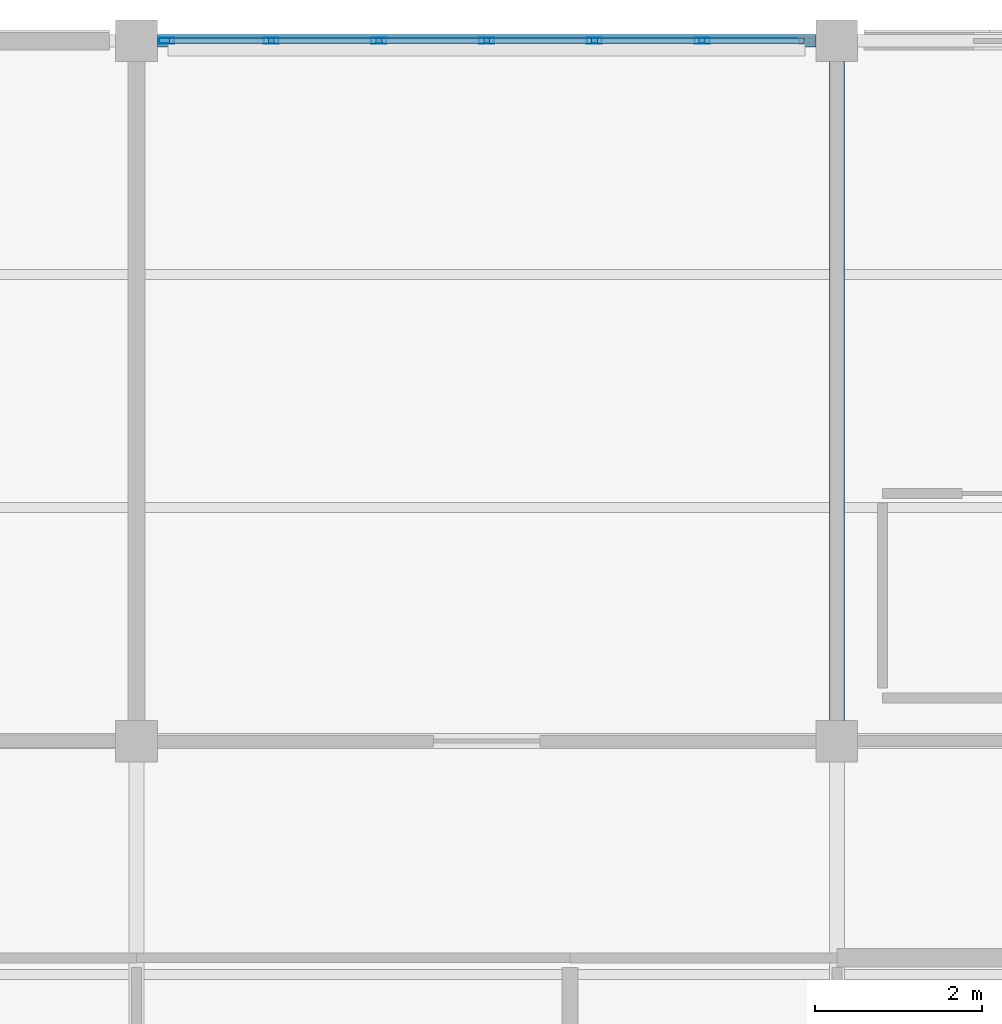
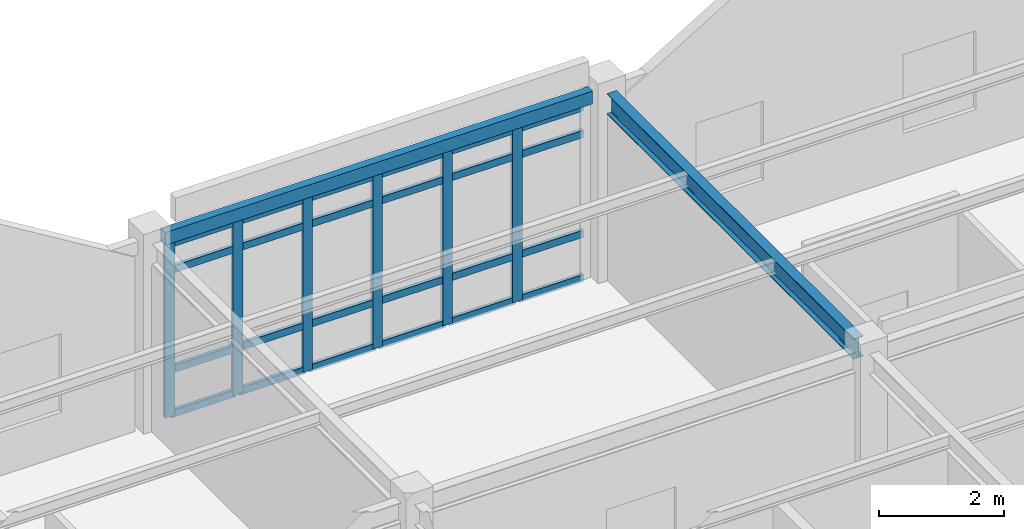
# One storey, part 20 of 45: 30 members, 2 beams, 1 element without a shape of its own.
"""IFC4 building model written with IfcOpenShell, lengths in metres."""

from ifc_helpers import new_model, si_unit, direction, frame, origin, origin_2d, place, context, subcontext, project, spatial, hollow_rectangle, i_section, extrude, material, layer, layer_set, material_profile, profile_set, type_object, element, aggregate, save


model = new_model("IFC4")

# Units and contexts
model_context = context("Model", 3, precision=1e-05, world=origin(), true_north=direction((0.0, 1.0)))
body_context = subcontext(model_context, "Body", "Model", "MODEL_VIEW")
ifc_project = project(units=[si_unit("LENGTHUNIT", "METRE"), si_unit("AREAUNIT", "SQUARE_METRE"), si_unit("VOLUMEUNIT", "CUBIC_METRE"), si_unit("PLANEANGLEUNIT", "RADIAN"), si_unit("MASSUNIT", "GRAM", prefix="KILO")], contexts=[model_context])

# Site, building, storey
site_placement = place(None, origin())
site = spatial("IfcSite", under=ifc_project, at=site_placement, CompositionType="ELEMENT")
building_placement = place(site_placement, origin())
building = spatial("IfcBuilding", under=site, at=building_placement, Name="Bramfleet General Hospital", CompositionType="ELEMENT")
storey_placement = place(building_placement, frame((0.0, 0.0, 30.300048828125)))
storey = spatial("IfcBuildingStorey", under=building, at=storey_placement, Name="L07", CompositionType="ELEMENT", Elevation=30.300048828125)

# Beams
ifc_material_1 = material(Name="Steel S355", Category="steel")
ifc_material_profile_1 = material_profile(ifc_material_1, i_section(OverallWidth=0.179931640625, OverallDepth=0.39990234375, WebThickness=0.008544921875, FlangeThickness=0.013427734375, FilletRadius=0.02099609375, at=origin_2d()), Name="IPE 400")
ifc_profile_set_1 = profile_set([ifc_material_profile_1], Name="Steel S355")
beam_type_1 = type_object("IfcBeamType", Name="BM-IPE400", PredefinedType="BEAM", material=ifc_profile_set_1)
beam_1_placement = place(storey_placement, frame((84.0, 109.449951171875, 3.4599609375), z_axis=(0.0, 1.0, 0.0), x_axis=(-1.0, 0.0, 0.0)))
element("IfcBeam", 1, at=beam_1_placement, inside=storey, type_object=beam_type_1, Name="L07 Grid Beam Y 10-13", PredefinedType="BEAM", context=body_context, shape_type="SweptSolid", body=[
    extrude(i_section(OverallWidth=0.179931640625, OverallDepth=0.39990234375, WebThickness=0.008544921875, FlangeThickness=0.013427734375, FilletRadius=0.02099609375, at=origin_2d()), origin(), (0.0, 0.0, 1.0), 7.900146484375),
])
ifc_material_profile_2 = material_profile(ifc_material_1, hollow_rectangle(XDim=0.14990234375, YDim=0.25, WallThickness=0.010009765625, at=origin_2d()), Name="RHS 250x150x10.0")
ifc_profile_set_2 = profile_set([ifc_material_profile_2], Name="Steel S355")
beam_type_2 = type_object("IfcBeamType", Name="BM-RHS250", PredefinedType="SPANDREL", material=ifc_profile_set_2)
beam_2_placement = place(storey_placement, frame((75.85009765625, 117.60009765625, 3.534912109375), z_axis=(1.0, 0.0, 0.0), x_axis=(0.0, 1.0, 0.0)))
element("IfcBeam", 2, at=beam_2_placement, inside=storey, type_object=beam_type_2, Name="L07 Grid Beam X 09-14", PredefinedType="SPANDREL", context=body_context, shape_type="SweptSolid", body=[
    extrude(hollow_rectangle(XDim=0.14990234375, YDim=0.25, WallThickness=0.010009765625, at=origin_2d()), origin(), (0.0, 0.0, 1.0), 7.89990234375),
])

# Curtain wall, members
ifc_material_2 = material(Name="Anodised aluminium and low-E triple glazing", Category="aluminium")
ifc_layer = layer(ifc_material_2, 0.179931640625, Name="CWT-CW-08")
ifc_layer_set = layer_set([ifc_layer], Name="Anodised aluminium and low-E triple glazing")
curtain_wall_type = type_object("IfcCurtainWallType", Name="CWT-CW-08", PredefinedType="USERDEFINED", material=ifc_layer_set)
curtain_wall_placement = place(storey_placement, origin())
curtain_wall = element("IfcCurtainWall", 3, at=curtain_wall_placement, inside=storey, type_object=curtain_wall_type, Name="L07 Curtain Wall 224", ObjectType="Unitised curtain wall", PredefinedType="USERDEFINED")
ifc_material_3 = material(Name="Anodised aluminium EN AW-6060", Category="aluminium")
ifc_material_profile_3 = material_profile(ifc_material_3, hollow_rectangle(XDim=0.070068359375, YDim=0.179931640625, WallThickness=0.00390625, at=origin_2d()), Name="ALU 180x70x4.0")
ifc_profile_set_3 = profile_set([ifc_material_profile_3], Name="Anodised aluminium EN AW-6060")
member_type_1 = type_object("IfcMemberType", Name="CWM-ALU180", PredefinedType="MULLION", material=ifc_profile_set_3)
member_1_placement = place(storey_placement, frame((75.9599609375, 117.60009765625, 0.0), z_axis=(0.0, 0.0, 1.0), x_axis=(0.0, 1.0, 0.0)))
member_1 = element("IfcMember", 4, at=member_1_placement, type_object=member_type_1, Name="CW-08 mullion 1", PredefinedType="MULLION", context=body_context, shape_type="SweptSolid", body=[
    extrude(hollow_rectangle(XDim=0.070068359375, YDim=0.179931640625, WallThickness=0.00390625, at=origin_2d()), origin(), (0.0, 0.0, 1.0), 3.39990234375),
])
member_2_placement = place(storey_placement, frame((77.216552734375, 117.60009765625, 0.0), z_axis=(0.0, 0.0, 1.0), x_axis=(0.0, 1.0, 0.0)))
member_2 = element("IfcMember", 5, at=member_2_placement, type_object=member_type_1, Name="CW-08 mullion 2", PredefinedType="MULLION", context=body_context, shape_type="SweptSolid", body=[
    extrude(hollow_rectangle(XDim=0.070068359375, YDim=0.179931640625, WallThickness=0.00390625, at=origin_2d()), origin(), (0.0, 0.0, 1.0), 3.39990234375),
])
member_3_placement = place(storey_placement, frame((78.50830078125, 117.60009765625, 0.0), z_axis=(0.0, 0.0, 1.0), x_axis=(0.0, 1.0, 0.0)))
member_3 = element("IfcMember", 6, at=member_3_placement, type_object=member_type_1, Name="CW-08 mullion 3", PredefinedType="MULLION", context=body_context, shape_type="SweptSolid", body=[
    extrude(hollow_rectangle(XDim=0.070068359375, YDim=0.179931640625, WallThickness=0.00390625, at=origin_2d()), origin(), (0.0, 0.0, 1.0), 3.39990234375),
])
member_4_placement = place(storey_placement, frame((79.800048828125, 117.60009765625, 0.0), z_axis=(0.0, 0.0, 1.0), x_axis=(0.0, 1.0, 0.0)))
member_4 = element("IfcMember", 7, at=member_4_placement, type_object=member_type_1, Name="CW-08 mullion 4", PredefinedType="MULLION", context=body_context, shape_type="SweptSolid", body=[
    extrude(hollow_rectangle(XDim=0.070068359375, YDim=0.179931640625, WallThickness=0.00390625, at=origin_2d()), origin(), (0.0, 0.0, 1.0), 3.39990234375),
])
member_5_placement = place(storey_placement, frame((81.091552734375, 117.60009765625, 0.0), z_axis=(0.0, 0.0, 1.0), x_axis=(0.0, 1.0, 0.0)))
member_5 = element("IfcMember", 8, at=member_5_placement, type_object=member_type_1, Name="CW-08 mullion 5", PredefinedType="MULLION", context=body_context, shape_type="SweptSolid", body=[
    extrude(hollow_rectangle(XDim=0.070068359375, YDim=0.179931640625, WallThickness=0.00390625, at=origin_2d()), origin(), (0.0, 0.0, 1.0), 3.39990234375),
])
member_6_placement = place(storey_placement, frame((82.38330078125, 117.60009765625, 0.0), z_axis=(0.0, 0.0, 1.0), x_axis=(0.0, 1.0, 0.0)))
member_6 = element("IfcMember", 9, at=member_6_placement, type_object=member_type_1, Name="CW-08 mullion 6", PredefinedType="MULLION", context=body_context, shape_type="SweptSolid", body=[
    extrude(hollow_rectangle(XDim=0.070068359375, YDim=0.179931640625, WallThickness=0.00390625, at=origin_2d()), origin(), (0.0, 0.0, 1.0), 3.39990234375),
])
ifc_material_profile_4 = material_profile(ifc_material_3, hollow_rectangle(XDim=0.06494140625, YDim=0.139892578125, WallThickness=0.00390625, at=origin_2d()), Name="ALU 140x65x4.0")
ifc_profile_set_4 = profile_set([ifc_material_profile_4], Name="Anodised aluminium EN AW-6060")
member_type_2 = type_object("IfcMemberType", Name="CWT-ALU140", PredefinedType="USERDEFINED", material=ifc_profile_set_4)
member_7_placement = place(storey_placement, frame((75.9951171875, 117.60009765625, 0.032470703125), z_axis=(1.0, 0.0, 0.0), x_axis=(0.0, 1.0, 0.0)))
member_7 = element("IfcMember", 10, at=member_7_placement, type_object=member_type_2, Name="CW-08 transom 1.1", ObjectType="TRANSOM", PredefinedType="USERDEFINED", context=body_context, shape_type="SweptSolid", body=[
    extrude(hollow_rectangle(XDim=0.06494140625, YDim=0.139892578125, WallThickness=0.00390625, at=origin_2d()), origin(), (0.0, 0.0, 1.0), 1.1865234375),
])
member_8_placement = place(storey_placement, frame((75.9951171875, 117.60009765625, 0.89990234375), z_axis=(1.0, 0.0, 0.0), x_axis=(0.0, 1.0, 0.0)))
member_8 = element("IfcMember", 11, at=member_8_placement, type_object=member_type_2, Name="CW-08 transom 1.2", ObjectType="TRANSOM", PredefinedType="USERDEFINED", context=body_context, shape_type="SweptSolid", body=[
    extrude(hollow_rectangle(XDim=0.06494140625, YDim=0.139892578125, WallThickness=0.00390625, at=origin_2d()), origin(), (0.0, 0.0, 1.0), 1.1865234375),
])
member_9_placement = place(storey_placement, frame((75.9951171875, 117.60009765625, 2.849853515625), z_axis=(1.0, 0.0, 0.0), x_axis=(0.0, 1.0, 0.0)))
member_9 = element("IfcMember", 12, at=member_9_placement, type_object=member_type_2, Name="CW-08 transom 1.3", ObjectType="TRANSOM", PredefinedType="USERDEFINED", context=body_context, shape_type="SweptSolid", body=[
    extrude(hollow_rectangle(XDim=0.06494140625, YDim=0.139892578125, WallThickness=0.00390625, at=origin_2d()), origin(), (0.0, 0.0, 1.0), 1.1865234375),
])
member_10_placement = place(storey_placement, frame((75.9951171875, 117.60009765625, 3.367431640625), z_axis=(1.0, 0.0, 0.0), x_axis=(0.0, 1.0, 0.0)))
member_10 = element("IfcMember", 13, at=member_10_placement, type_object=member_type_2, Name="CW-08 transom 1.4", ObjectType="TRANSOM", PredefinedType="USERDEFINED", context=body_context, shape_type="SweptSolid", body=[
    extrude(hollow_rectangle(XDim=0.06494140625, YDim=0.139892578125, WallThickness=0.00390625, at=origin_2d()), origin(), (0.0, 0.0, 1.0), 1.1865234375),
])
member_11_placement = place(storey_placement, frame((77.251708984375, 117.60009765625, 0.032470703125), z_axis=(1.0, 0.0, 0.0), x_axis=(0.0, 1.0, 0.0)))
member_11 = element("IfcMember", 14, at=member_11_placement, type_object=member_type_2, Name="CW-08 transom 2.1", ObjectType="TRANSOM", PredefinedType="USERDEFINED", context=body_context, shape_type="SweptSolid", body=[
    extrude(hollow_rectangle(XDim=0.06494140625, YDim=0.139892578125, WallThickness=0.00390625, at=origin_2d()), origin(), (0.0, 0.0, 1.0), 1.2216796875),
])
member_12_placement = place(storey_placement, frame((77.251708984375, 117.60009765625, 0.89990234375), z_axis=(1.0, 0.0, 0.0), x_axis=(0.0, 1.0, 0.0)))
member_12 = element("IfcMember", 15, at=member_12_placement, type_object=member_type_2, Name="CW-08 transom 2.2", ObjectType="TRANSOM", PredefinedType="USERDEFINED", context=body_context, shape_type="SweptSolid", body=[
    extrude(hollow_rectangle(XDim=0.06494140625, YDim=0.139892578125, WallThickness=0.00390625, at=origin_2d()), origin(), (0.0, 0.0, 1.0), 1.2216796875),
])
member_13_placement = place(storey_placement, frame((77.251708984375, 117.60009765625, 2.849853515625), z_axis=(1.0, 0.0, 0.0), x_axis=(0.0, 1.0, 0.0)))
member_13 = element("IfcMember", 16, at=member_13_placement, type_object=member_type_2, Name="CW-08 transom 2.3", ObjectType="TRANSOM", PredefinedType="USERDEFINED", context=body_context, shape_type="SweptSolid", body=[
    extrude(hollow_rectangle(XDim=0.06494140625, YDim=0.139892578125, WallThickness=0.00390625, at=origin_2d()), origin(), (0.0, 0.0, 1.0), 1.2216796875),
])
member_14_placement = place(storey_placement, frame((77.251708984375, 117.60009765625, 3.367431640625), z_axis=(1.0, 0.0, 0.0), x_axis=(0.0, 1.0, 0.0)))
member_14 = element("IfcMember", 17, at=member_14_placement, type_object=member_type_2, Name="CW-08 transom 2.4", ObjectType="TRANSOM", PredefinedType="USERDEFINED", context=body_context, shape_type="SweptSolid", body=[
    extrude(hollow_rectangle(XDim=0.06494140625, YDim=0.139892578125, WallThickness=0.00390625, at=origin_2d()), origin(), (0.0, 0.0, 1.0), 1.2216796875),
])
member_15_placement = place(storey_placement, frame((78.543212890625, 117.60009765625, 0.032470703125), z_axis=(1.0, 0.0, 0.0), x_axis=(0.0, 1.0, 0.0)))
member_15 = element("IfcMember", 18, at=member_15_placement, type_object=member_type_2, Name="CW-08 transom 3.1", ObjectType="TRANSOM", PredefinedType="USERDEFINED", context=body_context, shape_type="SweptSolid", body=[
    extrude(hollow_rectangle(XDim=0.06494140625, YDim=0.139892578125, WallThickness=0.00390625, at=origin_2d()), origin(), (0.0, 0.0, 1.0), 1.2216796875),
])
member_16_placement = place(storey_placement, frame((78.543212890625, 117.60009765625, 0.89990234375), z_axis=(1.0, 0.0, 0.0), x_axis=(0.0, 1.0, 0.0)))
member_16 = element("IfcMember", 19, at=member_16_placement, type_object=member_type_2, Name="CW-08 transom 3.2", ObjectType="TRANSOM", PredefinedType="USERDEFINED", context=body_context, shape_type="SweptSolid", body=[
    extrude(hollow_rectangle(XDim=0.06494140625, YDim=0.139892578125, WallThickness=0.00390625, at=origin_2d()), origin(), (0.0, 0.0, 1.0), 1.2216796875),
])
member_17_placement = place(storey_placement, frame((78.543212890625, 117.60009765625, 2.849853515625), z_axis=(1.0, 0.0, 0.0), x_axis=(0.0, 1.0, 0.0)))
member_17 = element("IfcMember", 20, at=member_17_placement, type_object=member_type_2, Name="CW-08 transom 3.3", ObjectType="TRANSOM", PredefinedType="USERDEFINED", context=body_context, shape_type="SweptSolid", body=[
    extrude(hollow_rectangle(XDim=0.06494140625, YDim=0.139892578125, WallThickness=0.00390625, at=origin_2d()), origin(), (0.0, 0.0, 1.0), 1.2216796875),
])
member_18_placement = place(storey_placement, frame((78.543212890625, 117.60009765625, 3.367431640625), z_axis=(1.0, 0.0, 0.0), x_axis=(0.0, 1.0, 0.0)))
member_18 = element("IfcMember", 21, at=member_18_placement, type_object=member_type_2, Name="CW-08 transom 3.4", ObjectType="TRANSOM", PredefinedType="USERDEFINED", context=body_context, shape_type="SweptSolid", body=[
    extrude(hollow_rectangle(XDim=0.06494140625, YDim=0.139892578125, WallThickness=0.00390625, at=origin_2d()), origin(), (0.0, 0.0, 1.0), 1.2216796875),
])
member_19_placement = place(storey_placement, frame((79.8349609375, 117.60009765625, 0.032470703125), z_axis=(1.0, 0.0, 0.0), x_axis=(0.0, 1.0, 0.0)))
member_19 = element("IfcMember", 22, at=member_19_placement, type_object=member_type_2, Name="CW-08 transom 4.1", ObjectType="TRANSOM", PredefinedType="USERDEFINED", context=body_context, shape_type="SweptSolid", body=[
    extrude(hollow_rectangle(XDim=0.06494140625, YDim=0.139892578125, WallThickness=0.00390625, at=origin_2d()), origin(), (0.0, 0.0, 1.0), 1.2216796875),
])
member_20_placement = place(storey_placement, frame((79.8349609375, 117.60009765625, 0.89990234375), z_axis=(1.0, 0.0, 0.0), x_axis=(0.0, 1.0, 0.0)))
member_20 = element("IfcMember", 23, at=member_20_placement, type_object=member_type_2, Name="CW-08 transom 4.2", ObjectType="TRANSOM", PredefinedType="USERDEFINED", context=body_context, shape_type="SweptSolid", body=[
    extrude(hollow_rectangle(XDim=0.06494140625, YDim=0.139892578125, WallThickness=0.00390625, at=origin_2d()), origin(), (0.0, 0.0, 1.0), 1.2216796875),
])
member_21_placement = place(storey_placement, frame((79.8349609375, 117.60009765625, 2.849853515625), z_axis=(1.0, 0.0, 0.0), x_axis=(0.0, 1.0, 0.0)))
member_21 = element("IfcMember", 24, at=member_21_placement, type_object=member_type_2, Name="CW-08 transom 4.3", ObjectType="TRANSOM", PredefinedType="USERDEFINED", context=body_context, shape_type="SweptSolid", body=[
    extrude(hollow_rectangle(XDim=0.06494140625, YDim=0.139892578125, WallThickness=0.00390625, at=origin_2d()), origin(), (0.0, 0.0, 1.0), 1.2216796875),
])
member_22_placement = place(storey_placement, frame((79.8349609375, 117.60009765625, 3.367431640625), z_axis=(1.0, 0.0, 0.0), x_axis=(0.0, 1.0, 0.0)))
member_22 = element("IfcMember", 25, at=member_22_placement, type_object=member_type_2, Name="CW-08 transom 4.4", ObjectType="TRANSOM", PredefinedType="USERDEFINED", context=body_context, shape_type="SweptSolid", body=[
    extrude(hollow_rectangle(XDim=0.06494140625, YDim=0.139892578125, WallThickness=0.00390625, at=origin_2d()), origin(), (0.0, 0.0, 1.0), 1.2216796875),
])
member_23_placement = place(storey_placement, frame((81.126708984375, 117.60009765625, 0.032470703125), z_axis=(1.0, 0.0, 0.0), x_axis=(0.0, 1.0, 0.0)))
member_23 = element("IfcMember", 26, at=member_23_placement, type_object=member_type_2, Name="CW-08 transom 5.1", ObjectType="TRANSOM", PredefinedType="USERDEFINED", context=body_context, shape_type="SweptSolid", body=[
    extrude(hollow_rectangle(XDim=0.06494140625, YDim=0.139892578125, WallThickness=0.00390625, at=origin_2d()), origin(), (0.0, 0.0, 1.0), 1.2216796875),
])
member_24_placement = place(storey_placement, frame((81.126708984375, 117.60009765625, 0.89990234375), z_axis=(1.0, 0.0, 0.0), x_axis=(0.0, 1.0, 0.0)))
member_24 = element("IfcMember", 27, at=member_24_placement, type_object=member_type_2, Name="CW-08 transom 5.2", ObjectType="TRANSOM", PredefinedType="USERDEFINED", context=body_context, shape_type="SweptSolid", body=[
    extrude(hollow_rectangle(XDim=0.06494140625, YDim=0.139892578125, WallThickness=0.00390625, at=origin_2d()), origin(), (0.0, 0.0, 1.0), 1.2216796875),
])
member_25_placement = place(storey_placement, frame((81.126708984375, 117.60009765625, 2.849853515625), z_axis=(1.0, 0.0, 0.0), x_axis=(0.0, 1.0, 0.0)))
member_25 = element("IfcMember", 28, at=member_25_placement, type_object=member_type_2, Name="CW-08 transom 5.3", ObjectType="TRANSOM", PredefinedType="USERDEFINED", context=body_context, shape_type="SweptSolid", body=[
    extrude(hollow_rectangle(XDim=0.06494140625, YDim=0.139892578125, WallThickness=0.00390625, at=origin_2d()), origin(), (0.0, 0.0, 1.0), 1.2216796875),
])
member_26_placement = place(storey_placement, frame((81.126708984375, 117.60009765625, 3.367431640625), z_axis=(1.0, 0.0, 0.0), x_axis=(0.0, 1.0, 0.0)))
member_26 = element("IfcMember", 29, at=member_26_placement, type_object=member_type_2, Name="CW-08 transom 5.4", ObjectType="TRANSOM", PredefinedType="USERDEFINED", context=body_context, shape_type="SweptSolid", body=[
    extrude(hollow_rectangle(XDim=0.06494140625, YDim=0.139892578125, WallThickness=0.00390625, at=origin_2d()), origin(), (0.0, 0.0, 1.0), 1.2216796875),
])
member_27_placement = place(storey_placement, frame((82.418212890625, 117.60009765625, 0.032470703125), z_axis=(1.0, 0.0, 0.0), x_axis=(0.0, 1.0, 0.0)))
member_27 = element("IfcMember", 30, at=member_27_placement, type_object=member_type_2, Name="CW-08 transom 6.1", ObjectType="TRANSOM", PredefinedType="USERDEFINED", context=body_context, shape_type="SweptSolid", body=[
    extrude(hollow_rectangle(XDim=0.06494140625, YDim=0.139892578125, WallThickness=0.00390625, at=origin_2d()), origin(), (0.0, 0.0, 1.0), 1.186767578125),
])
member_28_placement = place(storey_placement, frame((82.418212890625, 117.60009765625, 0.89990234375), z_axis=(1.0, 0.0, 0.0), x_axis=(0.0, 1.0, 0.0)))
member_28 = element("IfcMember", 31, at=member_28_placement, type_object=member_type_2, Name="CW-08 transom 6.2", ObjectType="TRANSOM", PredefinedType="USERDEFINED", context=body_context, shape_type="SweptSolid", body=[
    extrude(hollow_rectangle(XDim=0.06494140625, YDim=0.139892578125, WallThickness=0.00390625, at=origin_2d()), origin(), (0.0, 0.0, 1.0), 1.186767578125),
])
member_29_placement = place(storey_placement, frame((82.418212890625, 117.60009765625, 2.849853515625), z_axis=(1.0, 0.0, 0.0), x_axis=(0.0, 1.0, 0.0)))
member_29 = element("IfcMember", 32, at=member_29_placement, type_object=member_type_2, Name="CW-08 transom 6.3", ObjectType="TRANSOM", PredefinedType="USERDEFINED", context=body_context, shape_type="SweptSolid", body=[
    extrude(hollow_rectangle(XDim=0.06494140625, YDim=0.139892578125, WallThickness=0.00390625, at=origin_2d()), origin(), (0.0, 0.0, 1.0), 1.186767578125),
])
member_30_placement = place(storey_placement, frame((82.418212890625, 117.60009765625, 3.367431640625), z_axis=(1.0, 0.0, 0.0), x_axis=(0.0, 1.0, 0.0)))
member_30 = element("IfcMember", 33, at=member_30_placement, type_object=member_type_2, Name="CW-08 transom 6.4", ObjectType="TRANSOM", PredefinedType="USERDEFINED", context=body_context, shape_type="SweptSolid", body=[
    extrude(hollow_rectangle(XDim=0.06494140625, YDim=0.139892578125, WallThickness=0.00390625, at=origin_2d()), origin(), (0.0, 0.0, 1.0), 1.186767578125),
])
aggregate(curtain_wall, [member_1, member_2, member_3, member_4, member_5, member_6, member_7, member_8, member_9, member_10, member_11, member_12, member_13, member_14, member_15, member_16, member_17, member_18, member_19, member_20, member_21, member_22, member_23, member_24, member_25, member_26, member_27, member_28, member_29, member_30])

save(model, "model.ifc")
